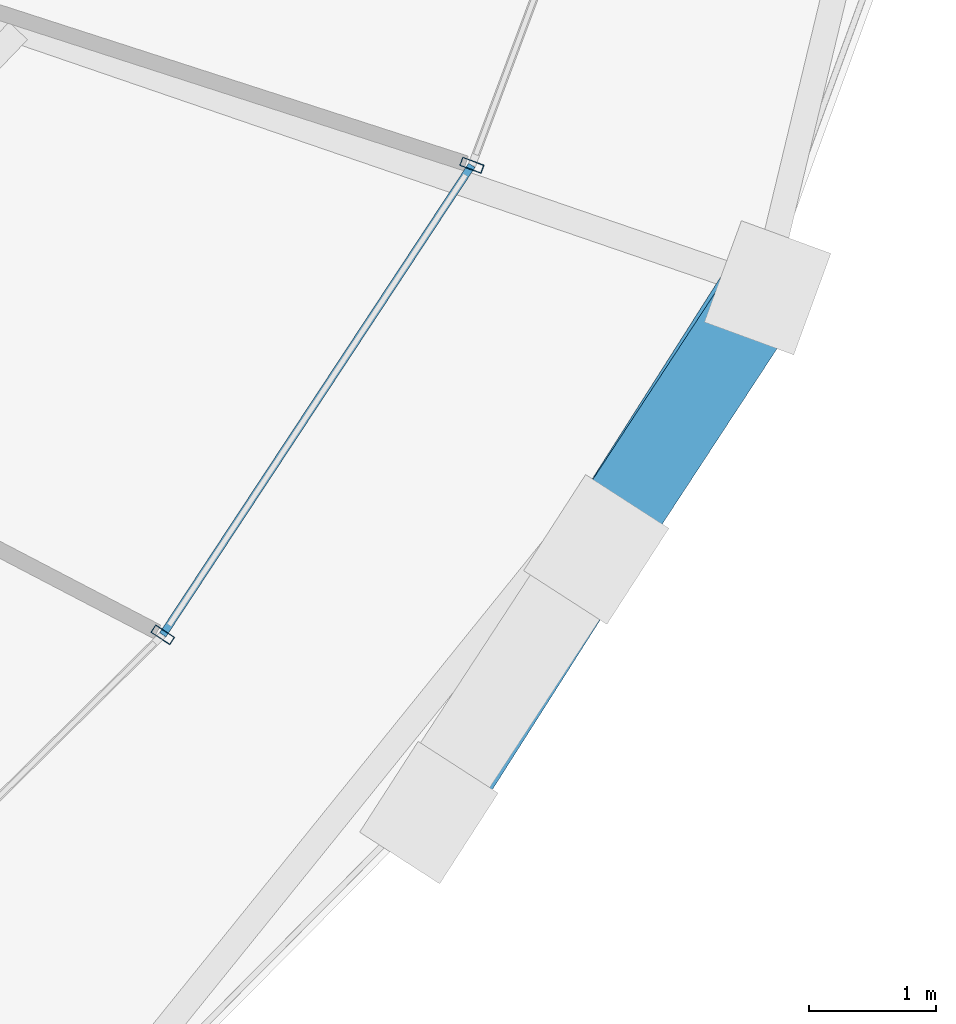
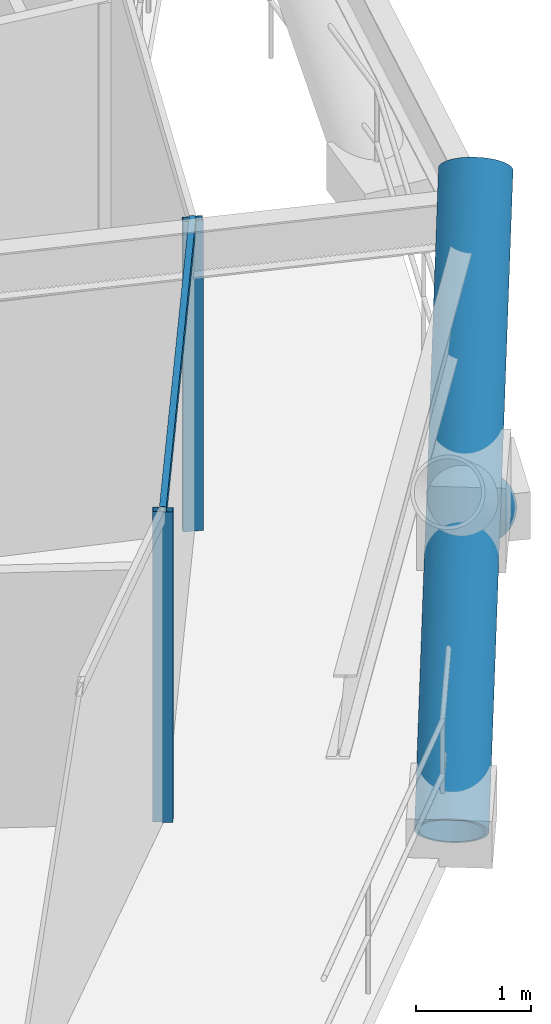
# One storey, part 9 of 21: 5 members, 1 element without a shape of its own.
"""IFC4 building model written with IfcOpenShell, lengths in metres."""

from ifc_helpers import new_model, si_unit, direction, frame, origin, origin_2d, place, context, subcontext, project, spatial, hollow_rectangle, hollow_circle, extrude, material, layer, layer_set, material_profile, profile_set, type_object, element, aggregate, save


model = new_model("IFC4")

# Units and contexts
model_context = context("Model", 3, precision=1e-05, world=origin(), true_north=direction((0.0, 1.0)))
body_context = subcontext(model_context, "Body", "Model", "MODEL_VIEW")
ifc_project = project(units=[si_unit("LENGTHUNIT", "METRE"), si_unit("AREAUNIT", "SQUARE_METRE"), si_unit("VOLUMEUNIT", "CUBIC_METRE"), si_unit("PLANEANGLEUNIT", "RADIAN"), si_unit("MASSUNIT", "GRAM", prefix="KILO")], contexts=[model_context])

# Site, building, storey
site_placement = place(None, origin())
site = spatial("IfcSite", under=ifc_project, at=site_placement, CompositionType="ELEMENT")
building_placement = place(site_placement, origin())
building = spatial("IfcBuilding", under=site, at=building_placement, Name="Veldorina Hangang Commons", CompositionType="ELEMENT")
storey_placement = place(building_placement, frame((0.0, 0.0, 98.800048828125)))
storey = spatial("IfcBuildingStorey", under=building, at=storey_placement, Name="L25", CompositionType="ELEMENT", Elevation=98.800048828125)

# Curtain wall, members
ifc_material_1 = material(Name="Glass Low-E Triple IGU", Category="glass")
ifc_layer = layer(ifc_material_1, 0.179931640625)
ifc_layer_set = layer_set([ifc_layer], Name="Glass Low-E Triple IGU")
curtain_wall_type = type_object("IfcCurtainWallType", Name="CW-SYS-Z1", PredefinedType="NOTDEFINED", material=ifc_layer_set)
curtain_wall_placement = place(storey_placement, origin())
curtain_wall = element("IfcCurtainWall", 1, at=curtain_wall_placement, inside=storey, type_object=curtain_wall_type, Name="L25 unitised curtain wall CW-L25-R2", PredefinedType="NOTDEFINED")
ifc_material_2 = material(Name="Aluminium Anodized AA6063-T6", Category="aluminium")
ifc_material_profile_1 = material_profile(ifc_material_2, hollow_rectangle(XDim=0.070068359375, YDim=0.179931640625, WallThickness=0.00390625, at=origin_2d()), Name="ALU-RHS-180x70x4")
ifc_profile_set_1 = profile_set([ifc_material_profile_1], Name="Aluminium Anodized AA6063-T6")
member_type_1 = type_object("IfcMemberType", Name="CW-MUL-180", PredefinedType="MULLION", material=ifc_profile_set_1)
member_1_placement = place(storey_placement, frame((53.896728515625, 12.122802734375, 0.0), z_axis=(0.0, 0.0, 1.0), x_axis=(0.549926926986, 0.835212772278, 0.0)))
member_1 = element("IfcMember", 2, at=member_1_placement, type_object=member_type_1, Name="CW-L25-R2 vertical mullion 3", PredefinedType="MULLION", context=body_context, shape_type="SweptSolid", body=[
    extrude(hollow_rectangle(XDim=0.070068359375, YDim=0.179931640625, WallThickness=0.00390625, at=origin_2d()), origin(), (0.0, 0.0, 1.0), 3.300048828125),
])
member_2_placement = place(storey_placement, frame((56.330322265625, 15.81884765625, 0.0), z_axis=(0.0, 0.0, 1.0), x_axis=(0.350027546656, 0.936739406976, 0.0)))
member_2 = element("IfcMember", 3, at=member_2_placement, type_object=member_type_1, Name="CW-L25-R2 vertical mullion 4", PredefinedType="MULLION", context=body_context, shape_type="SweptSolid", body=[
    extrude(hollow_rectangle(XDim=0.070068359375, YDim=0.179931640625, WallThickness=0.00390625, at=origin_2d()), origin(), (0.0, 0.0, 1.0), 3.300048828125),
])
ifc_material_profile_2 = material_profile(ifc_material_2, hollow_rectangle(XDim=0.06005859375, YDim=0.139892578125, WallThickness=0.00341796875, at=origin_2d()), Name="ALU-RHS-140x60x3.5")
ifc_profile_set_2 = profile_set([ifc_material_profile_2], Name="Aluminium Anodized AA6063-T6")
member_type_2 = type_object("IfcMemberType", Name="CW-TRN-140", PredefinedType="USERDEFINED", material=ifc_profile_set_2)
member_3_placement = place(storey_placement, frame((53.896728515625, 12.122802734375, 3.260009765625), z_axis=(0.549929561113, 0.83521103789, 0.0), x_axis=(-0.83521103789, 0.549929561113, 0.0)))
member_3 = element("IfcMember", 4, at=member_3_placement, type_object=member_type_2, Name="CW-L25-R2 facet 4 transom 1", ObjectType="TRANSOM", PredefinedType="USERDEFINED", context=body_context, shape_type="SweptSolid", body=[
    extrude(hollow_rectangle(XDim=0.06005859375, YDim=0.139892578125, WallThickness=0.00341796875, at=origin_2d()), origin(), (0.0, 0.0, 1.0), 4.42529296875),
])
aggregate(curtain_wall, [member_1, member_2, member_3])

# Members
ifc_material_3 = material(Name="Steel SM460-TMC", Category="steel")
ifc_material_profile_3 = material_profile(ifc_material_3, hollow_circle(Radius=0.324951171875, WallThickness=0.031982421875, at=origin_2d()), Name="CHS-650x32")
ifc_profile_set_3 = profile_set([ifc_material_profile_3], Name="Steel SM460-TMC")
member_type_3 = type_object("IfcMemberType", Name="DG-CHS650", PredefinedType="BRACE", material=ifc_profile_set_3)
member_4_placement = place(storey_placement, frame((55.9921875, 10.72265625, 0.0), z_axis=(0.432687058763, 0.68041814942, 0.591449956564), x_axis=(-0.843833505431, 0.536605083009, 0.0)))
element("IfcMember", 5, at=member_4_placement, inside=storey, type_object=member_type_3, Name="L25 continuous perimeter diagrid brace 29", PredefinedType="BRACE", context=body_context, shape_type="SweptSolid", body=[
    extrude(hollow_circle(Radius=0.324951171875, WallThickness=0.031982421875, at=origin_2d()), origin(), (0.0, 0.0, 1.0), 6.08642578125),
])
member_5_placement = place(storey_placement, frame((58.658447265625, 14.8544921875, 0.0), z_axis=(-0.44208335487, -0.675289527225, 0.590378151498), x_axis=(0.836658557679, -0.547724801211, 0.0)))
element("IfcMember", 6, at=member_5_placement, inside=storey, type_object=member_type_3, Name="L25 split perimeter diagrid lower brace 30", PredefinedType="BRACE", context=body_context, shape_type="SweptSolid", body=[
    extrude(hollow_circle(Radius=0.324951171875, WallThickness=0.031982421875, at=origin_2d()), origin(), (0.0, 0.0, 1.0), 3.050537109375),
])

save(model, "model.ifc")
